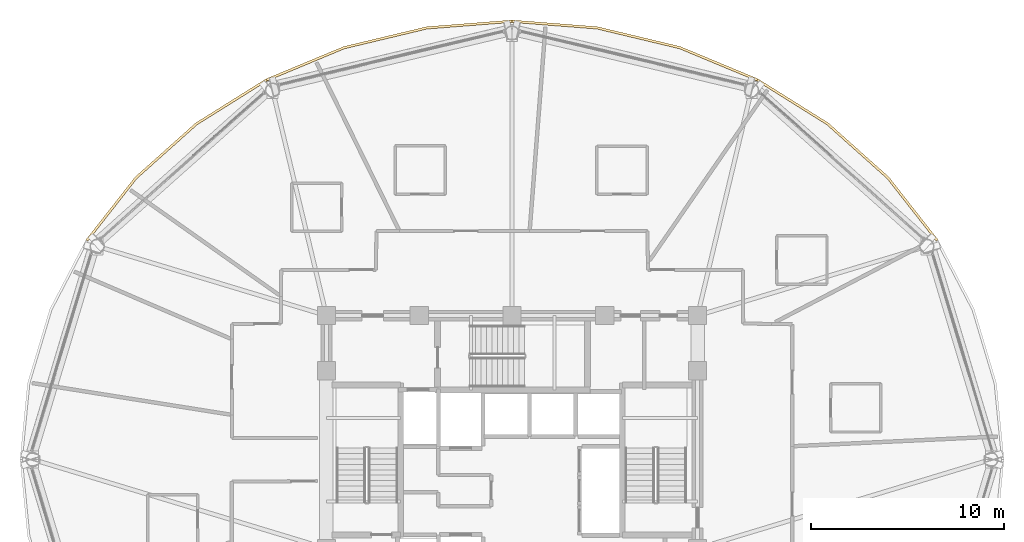
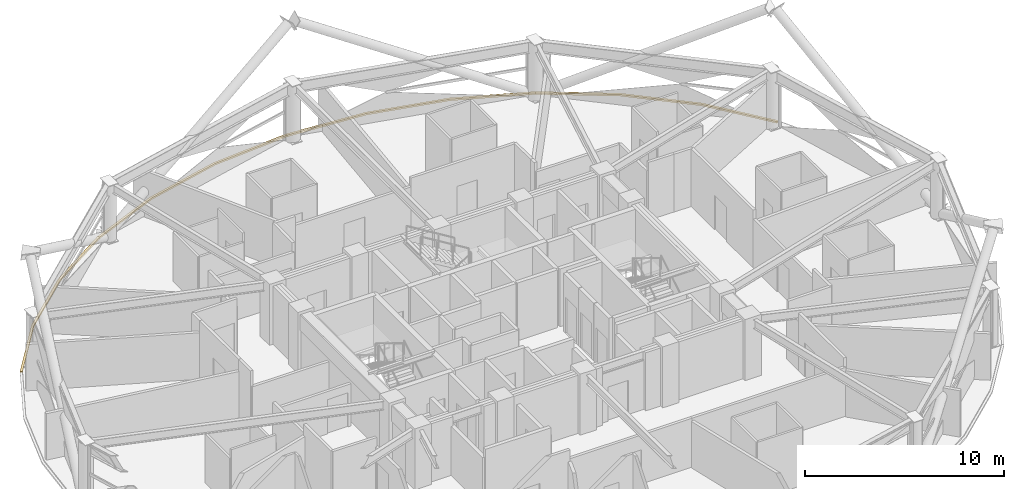
# One storey, part 29 of 29: 4 coverings.
"""IFC4 building model written with IfcOpenShell, lengths in metres."""

from ifc_helpers import new_model, si_unit, direction, frame, origin, place, context, subcontext, project, spatial, polyline, outline, extrude, material, layer, layer_set, type_object, element, save


model = new_model("IFC4")

# Units and contexts
model_context = context("Model", 3, precision=1e-05, world=origin(), true_north=direction((0.0, 1.0)))
body_context = subcontext(model_context, "Body", "Model", "MODEL_VIEW")
ifc_project = project(units=[si_unit("LENGTHUNIT", "METRE"), si_unit("AREAUNIT", "SQUARE_METRE"), si_unit("VOLUMEUNIT", "CUBIC_METRE"), si_unit("PLANEANGLEUNIT", "RADIAN"), si_unit("MASSUNIT", "GRAM", prefix="KILO")], contexts=[model_context])

# Site, building, storey
site_placement = place(None, origin())
site = spatial("IfcSite", under=ifc_project, at=site_placement, CompositionType="ELEMENT")
building_placement = place(site_placement, origin())
building = spatial("IfcBuilding", under=site, at=building_placement, Name="Vantalir Tower", CompositionType="ELEMENT")
storey_placement = place(building_placement, frame((0.0, 0.0, 149.699951171875)))
storey = spatial("IfcBuildingStorey", under=building, at=storey_placement, Name="L37", CompositionType="ELEMENT", Elevation=149.699951171875)

# Coverings
ifc_material = material(Name="Anodised champagne aluminium sill fascia", Category="aluminium")
ifc_layer = layer(ifc_material, 0.125)
ifc_layer_set = layer_set([ifc_layer], Name="Anodised champagne aluminium sill fascia")
covering_type = type_object("IfcCoveringType", Name="COV-SLAB-FASCIA-125", PredefinedType="CLADDING", material=ifc_layer_set)
covering_1_placement = place(storey_placement, frame((0.0, 0.0, -0.179931640625)))
element("IfcCovering", 1, at=covering_1_placement, inside=storey, type_object=covering_type, Name="L37 Perimeter Slab-Edge Sill Fascia 02", PredefinedType="CLADDING", context=body_context, shape_type="SweptSolid", body=[
    extrude(outline(polyline([(53.547119140625, 36.3720703125), (51.001953125, 39.6201171875), (47.864013671875, 42.423095703125), (44.22900390625, 44.697021484375), (44.1669921875, 44.589111328125), (47.783935546875, 42.326904296875), (50.906005859375, 39.5390625), (53.43896484375, 36.30908203125), (53.547119140625, 36.3720703125)])), origin(), (0.0, 0.0, 1.0), 0.10498046875),
])
covering_2_placement = place(storey_placement, frame((0.0, 0.0, -0.179931640625)))
element("IfcCovering", 2, at=covering_2_placement, inside=storey, type_object=covering_type, Name="L37 Perimeter Slab-Edge Sill Fascia 03", PredefinedType="CLADDING", context=body_context, shape_type="SweptSolid", body=[
    extrude(outline(polyline([(44.22900390625, 44.697021484375), (40.20703125, 46.3720703125), (35.9208984375, 47.39794921875), (31.5, 47.743896484375), (31.5, 47.618896484375), (35.89892578125, 47.27490234375), (40.1640625, 46.2548828125), (44.1669921875, 44.589111328125), (44.22900390625, 44.697021484375)])), origin(), (0.0, 0.0, 1.0), 0.10498046875),
])
covering_3_placement = place(storey_placement, frame((0.0, 0.0, -0.179931640625)))
element("IfcCovering", 3, at=covering_3_placement, inside=storey, type_object=covering_type, Name="L37 Perimeter Slab-Edge Sill Fascia 04", PredefinedType="CLADDING", context=body_context, shape_type="SweptSolid", body=[
    extrude(outline(polyline([(31.5, 47.743896484375), (27.0791015625, 47.39794921875), (22.79296875, 46.3720703125), (18.77099609375, 44.697021484375), (18.833984375, 44.589111328125), (22.8359375, 46.2548828125), (27.10107421875, 47.27490234375), (31.5, 47.618896484375), (31.5, 47.743896484375)])), origin(), (0.0, 0.0, 1.0), 0.10498046875),
])
covering_4_placement = place(storey_placement, frame((0.0, 0.0, -0.179931640625)))
element("IfcCovering", 4, at=covering_4_placement, inside=storey, type_object=covering_type, Name="L37 Perimeter Slab-Edge Sill Fascia 05", PredefinedType="CLADDING", context=body_context, shape_type="SweptSolid", body=[
    extrude(outline(polyline([(18.77099609375, 44.697021484375), (15.135986328125, 42.423095703125), (11.998046875, 39.6201171875), (9.452880859375, 36.3720703125), (9.56103515625, 36.30908203125), (12.093994140625, 39.5390625), (15.216064453125, 42.326904296875), (18.833984375, 44.589111328125), (18.77099609375, 44.697021484375)])), origin(), (0.0, 0.0, 1.0), 0.10498046875),
])

save(model, "model.ifc")
